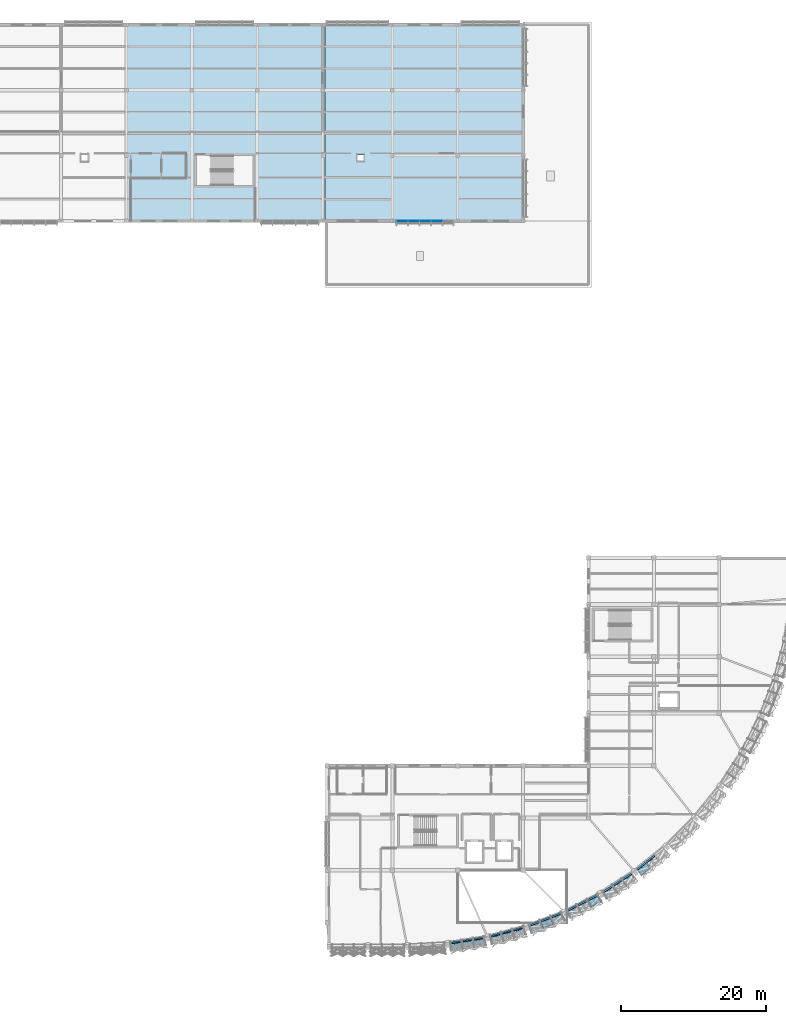
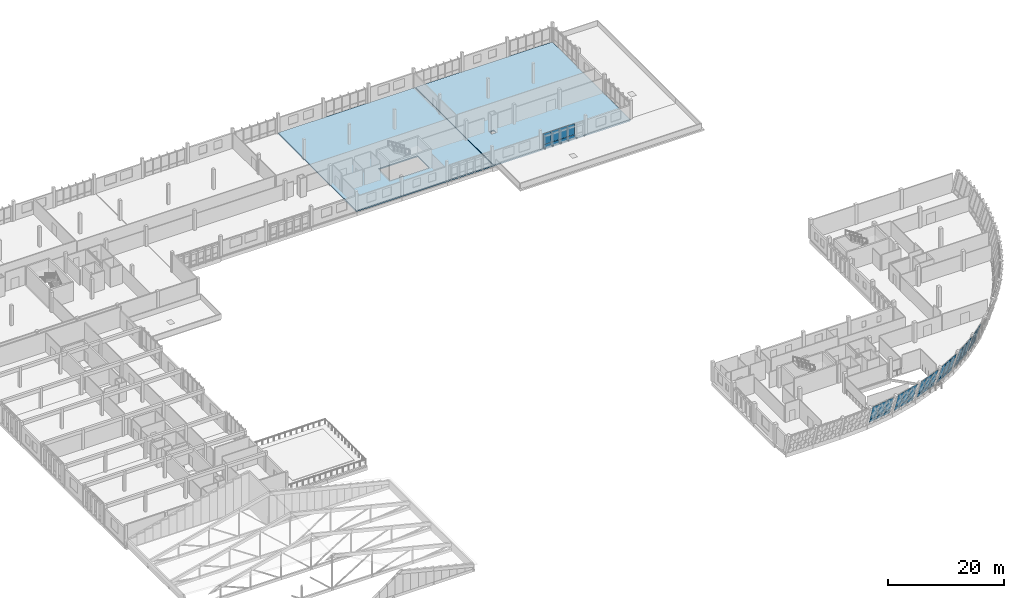
# One storey, part 82 of 107: 42 plates, 2 slabs, 7 elements without a shape of their own.
"""IFC4 building model written with IfcOpenShell, lengths in metres."""

from ifc_helpers import new_model, si_unit, direction, frame, origin, origin_2d, place, context, subcontext, project, spatial, polyline, rectangle, outline, extrude, material, layer, layer_set, type_object, element, aggregate, save


model = new_model("IFC4")

# Units and contexts
model_context = context("Model", 3, precision=1e-05, world=origin(), true_north=direction((0.0, 1.0)))
body_context = subcontext(model_context, "Body", "Model", "MODEL_VIEW")
ifc_project = project(units=[si_unit("LENGTHUNIT", "METRE"), si_unit("AREAUNIT", "SQUARE_METRE"), si_unit("VOLUMEUNIT", "CUBIC_METRE"), si_unit("PLANEANGLEUNIT", "RADIAN"), si_unit("MASSUNIT", "GRAM", prefix="KILO")], contexts=[model_context])

# Site, building, storey
site_placement = place(None, origin())
site = spatial("IfcSite", under=ifc_project, at=site_placement, CompositionType="ELEMENT")
building_placement = place(site_placement, origin())
building = spatial("IfcBuilding", under=site, at=building_placement, Name="Chiffa Square Polytechnic", CompositionType="ELEMENT")
storey_placement = place(building_placement, frame((0.0, 0.0, 13.800048828125)))
storey = spatial("IfcBuildingStorey", under=building, at=storey_placement, Name="L03", CompositionType="ELEMENT", Elevation=13.800048828125)

# Curtain wall, plates
ifc_material_1 = material(Name="Aluminium EN AW-6060 T66 and glulam shading", Category="wood")
curtain_wall_type_1 = type_object("IfcCurtainWallType", Name="CW-PROW-LEAN-300", PredefinedType="USERDEFINED", material=ifc_material_1)
curtain_wall_1_placement = place(storey_placement, origin())
curtain_wall_1 = element("IfcCurtainWall", 1, at=curtain_wall_1_placement, inside=storey, type_object=curtain_wall_type_1, Name="Outward-leaning diamond-fin prow curtain wall CW-V1-L03-051", ObjectType="CURTAIN WALL", PredefinedType="USERDEFINED")
ifc_material_2 = material(Name="Double glazing", Category="glass")
ifc_layer_1 = layer(ifc_material_2, 0.0458984375, Name="Double glazing")
ifc_layer_set_1 = layer_set([ifc_layer_1], Name="Double glazing")
plate_type_1 = type_object("IfcPlateType", Name="CWP-GLZ-128X106", PredefinedType="CURTAIN_PANEL", material=ifc_layer_set_1)
plate_1_placement = place(storey_placement, frame((150.326904296875, 11.3369140625, 0.8779296875), z_axis=(-0.524290403076, 0.806943021835, 0.271960535289), x_axis=(0.838551889819, 0.544821739465, 1.6941826e-05)))
plate_1 = element("IfcPlate", 2, at=plate_1_placement, type_object=plate_type_1, Name="Leaning prow curtain panel CW-V1-L03-051-PN01", PredefinedType="CURTAIN_PANEL", context=body_context, shape_type="SweptSolid", body=[
    extrude(outline(polyline([(0.0, 0.0), (1.4641137882648378, 5.551115123125783e-17), (1.4483795535117612, -3.1560410571082227), (-0.043225158944929995, -3.1560930937209335), (0.0, 0.0)])), origin(), (0.0, 0.0, -1.0), 0.0458984375),
])
plate_2_placement = place(storey_placement, frame((151.64990234375, 12.196533203125, 0.8779296875), z_axis=(-0.524339150689, 0.806895718933, 0.272006900321), x_axis=(0.838511309537, 0.544884192995, -1.524796e-06)))
plate_2 = element("IfcPlate", 3, at=plate_2_placement, type_object=plate_type_1, Name="Leaning prow curtain panel CW-V1-L03-051-PN02", PredefinedType="CURTAIN_PANEL", context=body_context, shape_type="SweptSolid", body=[
    extrude(outline(polyline([(0.0, 0.0), (1.4642468062427874, 2.7755575615628914e-17), (1.477920306486053, -3.156111877112503), (-0.013684409636908854, -3.156107193444452), (0.0, 0.0)])), origin(), (0.0, 0.0, -1.0), 0.0458984375),
])
plate_3_placement = place(storey_placement, frame((152.972900390625, 13.05615234375, 0.8779296875), z_axis=(-0.524279363407, 0.80692603052, 0.272032223045), x_axis=(0.838542589703, 0.544836051824, -4.3441411e-05)))
plate_3 = element("IfcPlate", 4, at=plate_3_placement, type_object=plate_type_1, Name="Leaning prow curtain panel CW-V1-L03-051-PN03", PredefinedType="CURTAIN_PANEL", context=body_context, shape_type="SweptSolid", body=[
    extrude(outline(polyline([(0.0, 0.0), (1.4640420796843538, 2.7755575615628914e-17), (1.507707778406458, -3.156201079702672), (0.016031359923051505, -3.156067647131704), (0.0, 0.0)])), origin(), (0.0, 0.0, -1.0), 0.0458984375),
])

curtain_wall_type_2 = type_object("IfcCurtainWallType", Name="CW-PROW-LEAN-150", PredefinedType="USERDEFINED", material=ifc_material_1)
curtain_wall_2_placement = place(storey_placement, origin())
curtain_wall_2 = element("IfcCurtainWall", 5, at=curtain_wall_2_placement, inside=storey, type_object=curtain_wall_type_2, Name="Outward-leaning diamond-fin prow curtain wall CW-V1-L03-050", ObjectType="CURTAIN WALL", PredefinedType="USERDEFINED")
ifc_layer_2 = layer(ifc_material_2, 0.0458984375, Name="Double glazing")
ifc_layer_set_2 = layer_set([ifc_layer_2], Name="Double glazing")
plate_type_2 = type_object("IfcPlateType", Name="CWP-GLZ-130X110", PredefinedType="CURTAIN_PANEL", material=ifc_layer_set_2)
plate_4_placement = place(storey_placement, frame((145.368408203125, 8.753662109375, 0.8779296875), z_axis=(-0.436901956946, 0.85743399699, 0.271888986211), x_axis=(0.890999227699, 0.454004819621, 5.11529e-07)))
plate_4 = element("IfcPlate", 6, at=plate_4_placement, type_object=plate_type_2, Name="Leaning prow curtain panel CW-V1-L03-050-PN01", PredefinedType="CURTAIN_PANEL", context=body_context, shape_type="SweptSolid", body=[
    extrude(outline(polyline([(0.0, 0.0), (1.464295653479668, 0.0), (1.447942610884163, -3.155999479673729), (-0.044304744706250475, -3.1560010512349024), (0.0, 0.0)])), origin(), (0.0, 0.0, -1.0), 0.0458984375),
])
plate_5_placement = place(storey_placement, frame((146.7744140625, 9.47021484375, 0.8779296875), z_axis=(-0.436897374983, 0.857425004742, 0.271924704608), x_axis=(0.89100167403, 0.454000018163, 1.9581758e-05)))
plate_5 = element("IfcPlate", 7, at=plate_5_placement, type_object=plate_type_2, Name="Leaning prow curtain panel CW-V1-L03-050-PN02", PredefinedType="CURTAIN_PANEL", context=body_context, shape_type="SweptSolid", body=[
    extrude(outline(polyline([(0.0, 0.0), (1.4639672836383886, 2.7755575615628914e-17), (1.478357981752926, -3.1560032661526876), (-0.014217743067088135, -3.1560634274277635), (0.0, 0.0)])), origin(), (0.0, 0.0, -1.0), 0.0458984375),
])
plate_6_placement = place(storey_placement, frame((148.18017578125, 10.186279296875, 0.8779296875), z_axis=(-0.436870966656, 0.857452637538, 0.271879997189), x_axis=(0.891014988493, 0.453973887129, -9.296618e-06)))
plate_6 = element("IfcPlate", 8, at=plate_6_placement, type_object=plate_type_2, Name="Leaning prow curtain panel CW-V1-L03-050-PN03", PredefinedType="CURTAIN_PANEL", context=body_context, shape_type="SweptSolid", body=[
    extrude(outline(polyline([(0.0, 0.0), (1.4642956526262192, 0.0), (1.508759109165546, -3.1560064960181355), (0.016294221689363026, -3.155977932178092), (0.0, 0.0)])), origin(), (0.0, 0.0, -1.0), 0.0458984375),
])

curtain_wall_3_placement = place(storey_placement, origin())
curtain_wall_3 = element("IfcCurtainWall", 9, at=curtain_wall_3_placement, inside=storey, type_object=curtain_wall_type_1, Name="Outward-leaning diamond-fin prow curtain wall CW-V1-L03-049", ObjectType="CURTAIN WALL", PredefinedType="USERDEFINED")
ifc_layer_3 = layer(ifc_material_2, 0.0439453125, Name="Double glazing")
ifc_layer_set_3 = layer_set([ifc_layer_3], Name="Double glazing")
plate_type_3 = type_object("IfcPlateType", Name="CWP-GLZ-132X114", PredefinedType="CURTAIN_PANEL", material=ifc_layer_set_3)
plate_7_placement = place(storey_placement, frame((140.166748046875, 6.702880859375, 0.8779296875), z_axis=(-0.344741512384, 0.898441351012, 0.271949312244), x_axis=(0.933624880121, 0.3582521208, -3.4073417e-05)))
plate_7 = element("IfcPlate", 10, at=plate_7_placement, type_object=plate_type_3, Name="Leaning prow curtain panel CW-V1-L03-049-PN01", PredefinedType="CURTAIN_PANEL", context=body_context, shape_type="SweptSolid", body=[
    extrude(outline(polyline([(0.0, 0.0), (1.4647155794137643, -2.7755575615628914e-17), (1.4482080952115914, -3.156107433737829), (-0.04407976691800431, -3.1560027325013795), (0.0, 0.0)])), origin(), (0.0, 0.0, -1.0), 0.0439453125),
])
plate_8_placement = place(storey_placement, frame((141.64013671875, 7.268310546875, 0.8779296875), z_axis=(-0.344836999302, 0.89840367537, 0.271952716468), x_axis=(0.9335894887, 0.358344340755, -6.158861e-06)))
plate_8 = element("IfcPlate", 11, at=plate_8_placement, type_object=plate_type_3, Name="Leaning prow curtain panel CW-V1-L03-049-PN02", PredefinedType="CURTAIN_PANEL", context=body_context, shape_type="SweptSolid", body=[
    extrude(outline(polyline([(0.0, 0.0), (1.4647155905350016, -2.7755575615628914e-17), (1.4778132541303783, -3.156068767126044), (-0.014334140590094142, -3.1560498429791086), (0.0, 0.0)])), origin(), (0.0, 0.0, -1.0), 0.0439453125),
])
plate_9_placement = place(storey_placement, frame((143.113525390625, 7.833984375, 0.8779296875), z_axis=(-0.344836045715, 0.89840119099, 0.271962132666), x_axis=(0.933592030214, 0.358337718867, 1.8938676e-05)))
plate_9 = element("IfcPlate", 12, at=plate_9_placement, type_object=plate_type_3, Name="Leaning prow curtain panel CW-V1-L03-049-PN03", PredefinedType="CURTAIN_PANEL", context=body_context, shape_type="SweptSolid", body=[
    extrude(outline(polyline([(0.0, 0.0), (1.4644001775004525, 0.0), (1.507956586900696, -3.156038359816958), (0.015493779657743735, -3.156096552280931), (0.0, 0.0)])), origin(), (0.0, 0.0, -1.0), 0.0439453125),
])

curtain_wall_4_placement = place(storey_placement, origin())
curtain_wall_4 = element("IfcCurtainWall", 13, at=curtain_wall_4_placement, inside=storey, type_object=curtain_wall_type_2, Name="Outward-leaning diamond-fin prow curtain wall CW-V1-L03-048", ObjectType="CURTAIN WALL", PredefinedType="USERDEFINED")
ifc_layer_4 = layer(ifc_material_2, 0.0439453125, Name="Double glazing")
ifc_layer_set_4 = layer_set([ifc_layer_4], Name="Double glazing")
plate_type_4 = type_object("IfcPlateType", Name="CWP-GLZ-134X118", PredefinedType="CURTAIN_PANEL", material=ifc_layer_set_4)
plate_10_placement = place(storey_placement, frame((134.7802734375, 5.206787109375, 0.8779296875), z_axis=(-0.249056083962, 0.929549781143, 0.27186075741), x_axis=(0.965930390096, 0.258802012083, 5.468409e-06)))
plate_10 = element("IfcPlate", 14, at=plate_10_placement, type_object=plate_type_4, Name="Leaning prow curtain panel CW-V1-L03-048-PN01", PredefinedType="CURTAIN_PANEL", context=body_context, shape_type="SweptSolid", body=[
    extrude(outline(polyline([(0.0, 0.0), (1.4641834649857353, -2.7755575615628914e-17), (1.4476504598648547, -3.1559658687181527), (-0.044604863925371954, -3.15598266847129), (0.0, 0.0)])), origin(), (0.0, 0.0, -1.0), 0.0439453125),
])
plate_11_placement = place(storey_placement, frame((136.304443359375, 5.615234375, 0.8779296875), z_axis=(-0.249128285896, 0.929522666707, 0.271887309827), x_axis=(0.965908188201, 0.258884861892, -1.5800429e-05)))
plate_11 = element("IfcPlate", 15, at=plate_11_placement, type_object=plate_type_4, Name="Leaning prow curtain panel CW-V1-L03-048-PN02", PredefinedType="CURTAIN_PANEL", context=body_context, shape_type="SweptSolid", body=[
    extrude(outline(polyline([(0.0, 0.0), (1.4642466613198177, 2.7755575615628914e-17), (1.477597078763567, -3.15602295704929), (-0.014658242196183821, -3.155974414405404), (0.0, 0.0)])), origin(), (0.0, 0.0, -1.0), 0.0439453125),
])
plate_12_placement = place(storey_placement, frame((137.82861328125, 6.023681640625, 0.8779296875), z_axis=(-0.249128821993, 0.929524666939, 0.271879980147), x_axis=(0.965908188263, 0.258884861659, -1.5800037e-05)))
plate_12 = element("IfcPlate", 16, at=plate_12_placement, type_object=plate_type_4, Name="Leaning prow curtain panel CW-V1-L03-048-PN03", PredefinedType="CURTAIN_PANEL", context=body_context, shape_type="SweptSolid", body=[
    extrude(outline(polyline([(0.0, 0.0), (1.464246661319807, 0.0), (1.5076818921664836, -3.1560166589895915), (0.015426571206700756, -3.1559681176543433), (0.0, 0.0)])), origin(), (0.0, 0.0, -1.0), 0.0439453125),
])

curtain_wall_5_placement = place(storey_placement, origin())
curtain_wall_5 = element("IfcCurtainWall", 17, at=curtain_wall_5_placement, inside=storey, type_object=curtain_wall_type_1, Name="Outward-leaning diamond-fin prow curtain wall CW-V1-L03-047", ObjectType="CURTAIN WALL", PredefinedType="USERDEFINED")
ifc_layer_5 = layer(ifc_material_2, 0.0419921875, Name="Double glazing")
ifc_layer_set_5 = layer_set([ifc_layer_5], Name="Double glazing")
plate_type_5 = type_object("IfcPlateType", Name="CWP-GLZ-136X122", PredefinedType="CURTAIN_PANEL", material=ifc_layer_set_5)
plate_13_placement = place(storey_placement, frame((129.26708984375, 4.28173828125, 0.8779296875), z_axis=(-0.150716992433, 0.950407363676, 0.272048214958), x_axis=(0.987658484057, 0.156622855431, 5.15036e-06)))
plate_13 = element("IfcPlate", 18, at=plate_13_placement, type_object=plate_type_5, Name="Leaning prow curtain panel CW-V1-L03-047-PN01", PredefinedType="CURTAIN_PANEL", context=body_context, shape_type="SweptSolid", body=[
    extrude(outline(polyline([(0.0, 0.0), (1.463862891561594, -6.938893903907228e-18), (1.4473630742875632, -3.156140094120353), (-0.04419438798012527, -3.156155912201182), (0.0, 0.0)])), origin(), (0.0, 0.0, -1.0), 0.0419921875),
])
plate_14_placement = place(storey_placement, frame((130.8251953125, 4.52880859375, 0.8779296875), z_axis=(-0.15077453837, 0.950428007287, 0.27194418829), x_axis=(0.987650705835, 0.156671894604, 2.6559331e-05)))
plate_14 = element("IfcPlate", 19, at=plate_14_placement, type_object=plate_type_5, Name="Leaning prow curtain panel CW-V1-L03-047-PN02", PredefinedType="CURTAIN_PANEL", context=body_context, shape_type="SweptSolid", body=[
    extrude(outline(polyline([(0.0, 0.0), (1.4641040135967105, -1.3877787807814457e-17), (1.477364915303207, -3.156010631493679), (-0.014471921792274165, -3.156092213900079), (0.0, 0.0)])), origin(), (0.0, 0.0, -1.0), 0.0419921875),
])
plate_15_placement = place(storey_placement, frame((132.38330078125, 4.77587890625, 0.8779296875), z_axis=(-0.150710530092, 0.950446101429, 0.271916429068), x_axis=(0.98766066259, 0.156609116906, 8.596016e-06)))
plate_15 = element("IfcPlate", 20, at=plate_15_placement, type_object=plate_type_5, Name="Leaning prow curtain panel CW-V1-L03-047-PN03", PredefinedType="CURTAIN_PANEL", context=body_context, shape_type="SweptSolid", body=[
    extrude(outline(polyline([(0.0, 0.0), (1.464104019847716, 0.0), (1.507026738482611, -3.1560122173382075), (0.015469276825369959, -3.1560386190449408), (0.0, 0.0)])), origin(), (0.0, 0.0, -1.0), 0.0419921875),
])

curtain_wall_type_3 = type_object("IfcCurtainWallType", Name="CW-VERT-600X380", PredefinedType="USERDEFINED", material=ifc_material_1)
curtain_wall_6_placement = place(storey_placement, origin())
curtain_wall_6 = element("IfcCurtainWall", 21, at=curtain_wall_6_placement, inside=storey, type_object=curtain_wall_type_3, Name="Curtain wall CW-V5-L03-228", ObjectType="CURTAIN WALL", PredefinedType="USERDEFINED")
ifc_layer_6 = layer(ifc_material_2, 0.0419921875, Name="Double glazing")
ifc_layer_set_6 = layer_set([ifc_layer_6], Name="Double glazing")
plate_type_6 = type_object("IfcPlateType", Name="CWP-GLZ-138X126", PredefinedType="CURTAIN_PANEL", material=ifc_layer_set_6)
plate_16_placement = place(storey_placement, frame((122.54296875, 103.800048828125, 0.84033203125), z_axis=(0.0, 0.0, 1.0), x_axis=(1.0, 0.0, 0.0)))
plate_16 = element("IfcPlate", 22, at=plate_16_placement, type_object=plate_type_6, Name="Glazed curtain panel CW-V5-L03-228-PN01", PredefinedType="CURTAIN_PANEL", context=body_context, shape_type="SweptSolid", body=[
    extrude(rectangle(XDim=1.510009765625, YDim=0.0419921875, at=origin_2d()), origin(), (0.0, 0.0, 1.0), 2.304931640625),
])
plate_17_placement = place(storey_placement, frame((124.115966796875, 103.800048828125, 0.84033203125), z_axis=(0.0, 0.0, 1.0), x_axis=(1.0, 0.0, 0.0)))
plate_17 = element("IfcPlate", 23, at=plate_17_placement, type_object=plate_type_6, Name="Glazed curtain panel CW-V5-L03-228-PN02", PredefinedType="CURTAIN_PANEL", context=body_context, shape_type="SweptSolid", body=[
    extrude(rectangle(XDim=1.531982421875, YDim=0.0419921875, at=origin_2d()), origin(), (0.0, 0.0, 1.0), 2.304931640625),
])
plate_18_placement = place(storey_placement, frame((125.699951171875, 103.800048828125, 0.84033203125), z_axis=(0.0, 0.0, 1.0), x_axis=(1.0, 0.0, 0.0)))
plate_18 = element("IfcPlate", 24, at=plate_18_placement, type_object=plate_type_6, Name="Glazed curtain panel CW-V5-L03-228-PN03", PredefinedType="CURTAIN_PANEL", context=body_context, shape_type="SweptSolid", body=[
    extrude(rectangle(XDim=1.531982421875, YDim=0.0419921875, at=origin_2d()), origin(), (0.0, 0.0, 1.0), 2.304931640625),
])
plate_19_placement = place(storey_placement, frame((127.283935546875, 103.800048828125, 0.84033203125), z_axis=(0.0, 0.0, 1.0), x_axis=(1.0, 0.0, 0.0)))
plate_19 = element("IfcPlate", 25, at=plate_19_placement, type_object=plate_type_6, Name="Glazed curtain panel CW-V5-L03-228-PN04", PredefinedType="CURTAIN_PANEL", context=body_context, shape_type="SweptSolid", body=[
    extrude(rectangle(XDim=1.531982421875, YDim=0.0419921875, at=origin_2d()), origin(), (0.0, 0.0, 1.0), 2.304931640625),
])

curtain_wall_7_placement = place(storey_placement, origin())
curtain_wall_7 = element("IfcCurtainWall", 26, at=curtain_wall_7_placement, inside=storey, type_object=curtain_wall_type_2, Name="Outward-leaning diamond-fin prow curtain wall CW-V1-L03-052", ObjectType="CURTAIN WALL", PredefinedType="USERDEFINED")
ifc_layer_7 = layer(ifc_material_2, 0.035888671875, Name="Double glazing")
ifc_layer_set_7 = layer_set([ifc_layer_7], Name="Double glazing")
plate_type_7 = type_object("IfcPlateType", Name="CWP-GLZ-150X145", PredefinedType="CURTAIN_PANEL", material=ifc_layer_set_7)
plate_20_placement = place(storey_placement, frame((154.9873046875, 14.425537109375, 0.8779296875), z_axis=(-0.605428587024, 0.747985206675, 0.271982272603), x_axis=(0.777290077008, 0.629142381277, 1.6320709e-05)))
plate_20 = element("IfcPlate", 27, at=plate_20_placement, type_object=plate_type_7, Name="Leaning prow curtain panel CW-V1-L03-052-PN01", PredefinedType="CURTAIN_PANEL", context=body_context, shape_type="SweptSolid", body=[
    extrude(outline(polyline([(0.0, 0.0), (1.464228648332112, 2.7755575615628914e-17), (1.4486261954100184, -3.156062136461245), (-0.04370455514057814, -3.1561122799010866), (0.0, 0.0)])), origin(), (0.0, 0.0, -1.0), 0.035888671875),
])
plate_21_placement = place(storey_placement, frame((156.213623046875, 15.418212890625, 0.8779296875), z_axis=(-0.605474388865, 0.747962324189, 0.271943240441), x_axis=(0.777259804876, 0.629179779419, 2.9915065e-05)))
plate_21 = element("IfcPlate", 28, at=plate_21_placement, type_object=plate_type_7, Name="Leaning prow curtain panel CW-V1-L03-052-PN02", PredefinedType="CURTAIN_PANEL", context=body_context, shape_type="SweptSolid", body=[
    extrude(outline(polyline([(0.0, 0.0), (1.4642286421089379, 0.0), (1.4786348963775586, -3.156004562075252), (-0.013506096006438702, -3.1560964656074795), (0.0, 0.0)])), origin(), (0.0, 0.0, -1.0), 0.035888671875),
])
ifc_material_3 = material(Name="Aluminium insulated spandrel", Category="aluminium")
ifc_layer_8 = layer(ifc_material_3, 0.070068359375, Name="Aluminium insulated spandrel")
ifc_layer_set_8 = layer_set([ifc_layer_8], Name="Aluminium insulated spandrel")
plate_type_8 = type_object("IfcPlateType", Name="CWP-SPN-138X074", PredefinedType="SHEET", material=ifc_layer_set_8)
plate_22_placement = place(storey_placement, frame((154.84912109375, 14.614990234375, 0.050048828125), z_axis=(-0.605346942181, 0.748074942636, 0.271917192895), x_axis=(0.777366167573, 0.629048361814, 3.366154e-06)))
plate_22 = element("IfcPlate", 29, at=plate_22_placement, type_object=plate_type_8, Name="Leaning prow curtain panel CW-V1-L03-052-SP01", PredefinedType="SHEET", context=body_context, shape_type="SweptSolid", body=[
    extrude(outline(polyline([(0.0, 0.0), (1.4566022429427443, 2.7755575615628914e-17), (1.452526455515406, -0.8021939090636496), (-0.011015466675206162, -0.802204123595786), (0.0, 0.0)])), origin(), (0.0, 0.0, -1.0), 0.070068359375),
])
plate_23_placement = place(storey_placement, frame((156.0693359375, 15.602294921875, 0.050048828125), z_axis=(-0.605393078325, 0.748051495108, 0.271878982974), x_axis=(0.777330623532, 0.629092283858, -1.0462169e-05)))
plate_23 = element("IfcPlate", 30, at=plate_23_placement, type_object=plate_type_8, Name="Leaning prow curtain panel CW-V1-L03-052-SP02", PredefinedType="SHEET", context=body_context, shape_type="SweptSolid", body=[
    extrude(outline(polyline([(0.0, 0.0), (1.4564124615814493, -2.7755575615628914e-17), (1.4601298644344527, -0.8022058645756144), (-0.003412056485542254, -0.8021741197368094), (0.0, 0.0)])), origin(), (0.0, 0.0, -1.0), 0.070068359375),
])
aggregate(curtain_wall_7, [plate_22, plate_20, plate_23, plate_21])

# Plate
plate_24_placement = place(storey_placement, frame((122.54296875, 103.800048828125, 0.050048828125), z_axis=(0.0, 0.0, 1.0), x_axis=(1.0, 0.0, 0.0)))
plate_24 = element("IfcPlate", 31, at=plate_24_placement, type_object=plate_type_8, Name="Spandrel panel CW-V5-L03-228-SP01", PredefinedType="SHEET", context=body_context, shape_type="SweptSolid", body=[
    extrude(rectangle(XDim=1.510009765625, YDim=0.070068359375, at=origin_2d()), origin(), (0.0, 0.0, 1.0), 0.75),
])

plate_25_placement = place(storey_placement, frame((124.115966796875, 103.800048828125, 0.050048828125), z_axis=(0.0, 0.0, 1.0), x_axis=(1.0, 0.0, 0.0)))
plate_25 = element("IfcPlate", 32, at=plate_25_placement, type_object=plate_type_8, Name="Spandrel panel CW-V5-L03-228-SP02", PredefinedType="SHEET", context=body_context, shape_type="SweptSolid", body=[
    extrude(rectangle(XDim=1.531982421875, YDim=0.070068359375, at=origin_2d()), origin(), (0.0, 0.0, 1.0), 0.75),
])

plate_26_placement = place(storey_placement, frame((125.699951171875, 103.800048828125, 0.050048828125), z_axis=(0.0, 0.0, 1.0), x_axis=(1.0, 0.0, 0.0)))
plate_26 = element("IfcPlate", 33, at=plate_26_placement, type_object=plate_type_8, Name="Spandrel panel CW-V5-L03-228-SP03", PredefinedType="SHEET", context=body_context, shape_type="SweptSolid", body=[
    extrude(rectangle(XDim=1.531982421875, YDim=0.070068359375, at=origin_2d()), origin(), (0.0, 0.0, 1.0), 0.75),
])

plate_27_placement = place(storey_placement, frame((127.283935546875, 103.800048828125, 0.050048828125), z_axis=(0.0, 0.0, 1.0), x_axis=(1.0, 0.0, 0.0)))
plate_27 = element("IfcPlate", 34, at=plate_27_placement, type_object=plate_type_8, Name="Spandrel panel CW-V5-L03-228-SP04", PredefinedType="SHEET", context=body_context, shape_type="SweptSolid", body=[
    extrude(rectangle(XDim=1.531982421875, YDim=0.070068359375, at=origin_2d()), origin(), (0.0, 0.0, 1.0), 0.75),
])

aggregate(curtain_wall_6, [plate_24, plate_16, plate_25, plate_17, plate_26, plate_18, plate_27, plate_19])

ifc_layer_9 = layer(ifc_material_3, 0.068115234375, Name="Aluminium insulated spandrel")
ifc_layer_set_9 = layer_set([ifc_layer_9], Name="Aluminium insulated spandrel")
plate_type_9 = type_object("IfcPlateType", Name="CWP-SPN-140X076", PredefinedType="SHEET", material=ifc_layer_set_9)
plate_28_placement = place(storey_placement, frame((150.20947265625, 11.53955078125, 0.050048828125), z_axis=(-0.524367701351, 0.806905192474, 0.271923746919), x_axis=(0.838502054314, 0.544898435359, 7.420963e-06)))
plate_28 = element("IfcPlate", 35, at=plate_28_placement, type_object=plate_type_9, Name="Leaning prow curtain panel CW-V1-L03-051-SP01", PredefinedType="SHEET", context=body_context, shape_type="SweptSolid", body=[
    extrude(outline(polyline([(0.0, 0.0), (1.4566627419637195, 2.7755575615628914e-17), (1.4526593051407248, -0.8021893315188431), (-0.011045044310610087, -0.802211852055531), (0.0, 0.0)])), origin(), (0.0, 0.0, -1.0), 0.068115234375),
])

plate_29_placement = place(storey_placement, frame((151.525390625, 12.394775390625, 0.050048828125), z_axis=(-0.524321651836, 0.806877680876, 0.272094126213), x_axis=(0.838514441236, 0.544879373658, 9.97974e-07)))
plate_29 = element("IfcPlate", 36, at=plate_29_placement, type_object=plate_type_9, Name="Leaning prow curtain panel CW-V1-L03-051-SP02", PredefinedType="SHEET", context=body_context, shape_type="SweptSolid", body=[
    extrude(outline(polyline([(0.0, 0.0), (1.456662742496366, 0.0), (1.460110341743319, -0.8022391687199051), (-0.003256263729925697, -0.8022421970914891), (0.0, 0.0)])), origin(), (0.0, 0.0, -1.0), 0.068115234375),
])

plate_30_placement = place(storey_placement, frame((152.841552734375, 13.25, 0.050048828125), z_axis=(-0.524325466808, 0.806883551729, 0.272069363962), x_axis=(0.838514441208, 0.544879373701, 9.9789e-07)))
plate_30 = element("IfcPlate", 37, at=plate_30_placement, type_object=plate_type_9, Name="Leaning prow curtain panel CW-V1-L03-051-SP03", PredefinedType="SHEET", context=body_context, shape_type="SweptSolid", body=[
    extrude(outline(polyline([(0.0, 0.0), (1.456662742496366, 0.0), (1.4676944053454142, -0.8022333239215402), (0.00432779987216914, -0.8022363520175237), (0.0, 0.0)])), origin(), (0.0, 0.0, -1.0), 0.068115234375),
])

aggregate(curtain_wall_1, [plate_28, plate_1, plate_29, plate_2, plate_30, plate_3])

ifc_layer_10 = layer(ifc_material_3, 0.06591796875, Name="Aluminium insulated spandrel")
ifc_layer_set_10 = layer_set([ifc_layer_10], Name="Aluminium insulated spandrel")
plate_type_10 = type_object("IfcPlateType", Name="CWP-SPN-144X078", PredefinedType="SHEET", material=ifc_layer_set_10)
plate_31_placement = place(storey_placement, frame((145.273193359375, 8.9677734375, 0.050048828125), z_axis=(-0.436816954988, 0.857461464231, 0.271938936517), x_axis=(0.891038880967, 0.45392699015, -1.4749149e-05)))
plate_31 = element("IfcPlate", 38, at=plate_31_placement, type_object=plate_type_10, Name="Leaning prow curtain panel CW-V1-L03-050-SP01", PredefinedType="SHEET", context=body_context, shape_type="SweptSolid", body=[
    extrude(outline(polyline([(0.0, 0.0), (1.4563246927901592, -2.7755575615628914e-17), (1.4522700701264744, -0.8022263705145065), (-0.011368856222784395, -0.8021816169781094), (0.0, 0.0)])), origin(), (0.0, 0.0, -1.0), 0.06591796875),
])

plate_32_placement = place(storey_placement, frame((146.67138671875, 9.680419921875, 0.050048828125), z_axis=(-0.436767701387, 0.857445231421, 0.272069201009), x_axis=(0.891057386701, 0.453890662585, -4.769473e-06)))
plate_32 = element("IfcPlate", 39, at=plate_32_placement, type_object=plate_type_10, Name="Leaning prow curtain panel CW-V1-L03-050-SP02", PredefinedType="SHEET", context=body_context, shape_type="SweptSolid", body=[
    extrude(outline(polyline([(0.0, 0.0), (1.4565422319300874, -2.7755575615628914e-17), (1.4601468072505088, -0.802242044664952), (-0.003492121619970796, -0.802227570958634), (0.0, 0.0)])), origin(), (0.0, 0.0, -1.0), 0.06591796875),
])

plate_33_placement = place(storey_placement, frame((148.070068359375, 10.392822265625, 0.050048828125), z_axis=(-0.436959736517, 0.857425872227, 0.271821747288), x_axis=(0.890971229703, 0.45405976217, -1.4840041e-05)))
plate_33 = element("IfcPlate", 40, at=plate_33_placement, type_object=plate_type_10, Name="Leaning prow curtain panel CW-V1-L03-050-SP03", PredefinedType="SHEET", context=body_context, shape_type="SweptSolid", body=[
    extrude(outline(polyline([(0.0, 0.0), (1.4564355423799427, -2.7755575615628914e-17), (1.4677443558041907, -0.8021991465031153), (0.003994604412973036, -0.8021541153011801), (0.0, 0.0)])), origin(), (0.0, 0.0, -1.0), 0.06591796875),
])

aggregate(curtain_wall_2, [plate_31, plate_4, plate_32, plate_5, plate_33, plate_6])

ifc_layer_11 = layer(ifc_material_3, 0.06396484375, Name="Aluminium insulated spandrel")
ifc_layer_set_11 = layer_set([ifc_layer_11], Name="Aluminium insulated spandrel")
plate_type_11 = type_object("IfcPlateType", Name="CWP-SPN-146X082", PredefinedType="SHEET", material=ifc_layer_set_11)
plate_34_placement = place(storey_placement, frame((140.093994140625, 6.92578125, 0.050048828125), z_axis=(-0.344774853027, 0.89840911667, 0.272013528717), x_axis=(0.93361376584, 0.358281085272, 1.307127e-05)))
plate_34 = element("IfcPlate", 41, at=plate_34_placement, type_object=plate_type_11, Name="Leaning prow curtain panel CW-V1-L03-049-SP01", PredefinedType="SHEET", context=body_context, shape_type="SweptSolid", body=[
    extrude(outline(polyline([(0.0, 0.0), (1.4570558748951572, 0.0), (1.4531099320993341, -0.8022019484297573), (-0.01106231574886624, -0.802241628802306), (0.0, 0.0)])), origin(), (0.0, 0.0, -1.0), 0.06396484375),
])

plate_35_placement = place(storey_placement, frame((141.559814453125, 7.48828125, 0.050048828125), z_axis=(-0.344803430088, 0.898403152342, 0.271997004509), x_axis=(0.933603829926, 0.358306974968, 2.090863e-05)))
plate_35 = element("IfcPlate", 42, at=plate_35_placement, type_object=plate_type_11, Name="Leaning prow curtain panel CW-V1-L03-049-SP02", PredefinedType="SHEET", context=body_context, shape_type="SweptSolid", body=[
    extrude(outline(polyline([(0.0, 0.0), (1.457055872272487, 0.0), (1.4604542380451615, -0.8021860605228712), (-0.0034900805902938342, -0.8022495274594873), (0.0, 0.0)])), origin(), (0.0, 0.0, -1.0), 0.06396484375),
])

plate_36_placement = place(storey_placement, frame((143.025634765625, 8.05078125, 0.050048828125), z_axis=(-0.344743245798, 0.898455915903, 0.271898991642), x_axis=(0.933629719182, 0.358239511305, 4.83714e-07)))
plate_36 = element("IfcPlate", 43, at=plate_36_placement, type_object=plate_type_11, Name="Leaning prow curtain panel CW-V1-L03-049-SP03", PredefinedType="SHEET", context=body_context, shape_type="SweptSolid", body=[
    extrude(outline(polyline([(0.0, 0.0), (1.4570558765751411, 0.0), (1.4680264741339364, -0.8021939649366602), (0.004169628854747315, -0.8021954331373555), (0.0, 0.0)])), origin(), (0.0, 0.0, -1.0), 0.06396484375),
])

aggregate(curtain_wall_3, [plate_34, plate_7, plate_35, plate_8, plate_36, plate_9])

ifc_layer_12 = layer(ifc_material_3, 0.06201171875, Name="Aluminium insulated spandrel")
ifc_layer_set_12 = layer_set([ifc_layer_12], Name="Aluminium insulated spandrel")
plate_type_12 = type_object("IfcPlateType", Name="CWP-SPN-148X084", PredefinedType="SHEET", material=ifc_layer_set_12)
plate_37_placement = place(storey_placement, frame((134.7314453125, 5.435791015625, 0.050048828125), z_axis=(-0.249228315262, 0.929497725802, 0.271880901499), x_axis=(0.965882372342, 0.25898116281, 1.0425675e-05)))
plate_37 = element("IfcPlate", 44, at=plate_37_placement, type_object=plate_type_12, Name="Leaning prow curtain panel CW-V1-L03-048-SP01", PredefinedType="SHEET", context=body_context, shape_type="SweptSolid", body=[
    extrude(outline(polyline([(0.0, 0.0), (1.456666505944342, -2.7755575615628914e-17), (1.452555423884017, -0.8021747056677649), (-0.011219616173619502, -0.8022063450695132), (0.0, 0.0)])), origin(), (0.0, 0.0, -1.0), 0.06201171875),
])

plate_38_placement = place(storey_placement, frame((136.247802734375, 5.84228515625, 0.050048828125), z_axis=(-0.249165215352, 0.929481993209, 0.271992499454), x_axis=(0.965895713589, 0.258931400571, -1.6400536e-05)))
plate_38 = element("IfcPlate", 45, at=plate_38_placement, type_object=plate_type_12, Name="Leaning prow curtain panel CW-V1-L03-048-SP02", PredefinedType="SHEET", context=body_context, shape_type="SweptSolid", body=[
    extrude(outline(polyline([(0.0, 0.0), (1.4564306922805896, 0.0), (1.459827075787468, -0.8022416113260475), (-0.00388474332370625, -0.8021918431322618), (0.0, 0.0)])), origin(), (0.0, 0.0, -1.0), 0.06201171875),
])

plate_39_placement = place(storey_placement, frame((137.763916015625, 6.248779296875, 0.050048828125), z_axis=(-0.249141601172, 0.929474349351, 0.272040247874), x_axis=(0.965901734808, 0.258908938782, -1.0706616e-05)))
plate_39 = element("IfcPlate", 46, at=plate_39_placement, type_object=plate_type_12, Name="Leaning prow curtain panel CW-V1-L03-048-SP03", PredefinedType="SHEET", context=body_context, shape_type="SweptSolid", body=[
    extrude(outline(polyline([(0.0, 0.0), (1.4566665058871677, 0.0), (1.4676525183165956, -0.8022443128898253), (0.003940697208216105, -0.802211820083149), (0.0, 0.0)])), origin(), (0.0, 0.0, -1.0), 0.06201171875),
])

aggregate(curtain_wall_4, [plate_37, plate_10, plate_38, plate_11, plate_39, plate_12])

ifc_layer_13 = layer(ifc_material_3, 0.06005859375, Name="Aluminium insulated spandrel")
ifc_layer_set_13 = layer_set([ifc_layer_13], Name="Aluminium insulated spandrel")
plate_type_13 = type_object("IfcPlateType", Name="CWP-SPN-150X080", PredefinedType="SHEET", material=ifc_layer_set_13)
plate_40_placement = place(storey_placement, frame((129.2421875, 4.514892578125, 0.050048828125), z_axis=(-0.15068420957, 0.950364424798, 0.272216327695), x_axis=(0.987663121695, 0.15659360715, 1.5588438e-05)))
plate_40 = element("IfcPlate", 47, at=plate_40_placement, type_object=plate_type_13, Name="Leaning prow curtain panel CW-V1-L03-047-SP01", PredefinedType="SHEET", context=body_context, shape_type="SweptSolid", body=[
    extrude(outline(polyline([(0.0, 0.0), (1.4566790051826288, 6.938893903907228e-18), (1.4522361964793562, -0.8022459721015268), (-0.011144437688018935, -0.802293277714581), (0.0, 0.0)])), origin(), (0.0, 0.0, -1.0), 0.06005859375),
])

plate_41_placement = place(storey_placement, frame((130.79248046875, 4.760498046875, 0.050048828125), z_axis=(-0.150697577564, 0.950448736659, 0.271914396639), x_axis=(0.98766281643, 0.156595533036, 8.706217e-06)))
plate_41 = element("IfcPlate", 48, at=plate_41_placement, type_object=plate_type_13, Name="Leaning prow curtain panel CW-V1-L03-047-SP02", PredefinedType="SHEET", context=body_context, shape_type="SweptSolid", body=[
    extrude(outline(polyline([(0.0, 0.0), (1.4564378765278323, 6.938893903907228e-18), (1.459934833001874, -0.8021851231405749), (-0.003686930083974644, -0.8022115412087149), (0.0, 0.0)])), origin(), (0.0, 0.0, -1.0), 0.06005859375),
])

plate_42_placement = place(storey_placement, frame((132.342529296875, 5.00634765625, 0.050048828125), z_axis=(-0.150614011076, 0.950429120106, 0.27202923983), x_axis=(0.9876747882, 0.156520006987, -1.2906814e-05)))
plate_42 = element("IfcPlate", 49, at=plate_42_placement, type_object=plate_type_13, Name="Leaning prow curtain panel CW-V1-L03-047-SP03", PredefinedType="SHEET", context=body_context, shape_type="SweptSolid", body=[
    extrude(outline(polyline([(0.0, 0.0), (1.4564378756350391, 6.938893903907228e-18), (1.4675627531621978, -0.8022450730164022), (0.003979211295285672, -0.802205907887291), (0.0, 0.0)])), origin(), (0.0, 0.0, -1.0), 0.06005859375),
])

aggregate(curtain_wall_5, [plate_40, plate_13, plate_41, plate_14, plate_42, plate_15])

# Slabs
ifc_material_4 = material(Name="Concrete C35/45", Category="concrete")
ifc_layer_14 = layer(ifc_material_4, 0.260009765625, Name="Concrete C35/45")
ifc_layer_set_14 = layer_set([ifc_layer_14], Name="Concrete C35/45")
slab_type = type_object("IfcSlabType", Name="SLB-FLR-260", PredefinedType="FLOOR", material=ifc_layer_set_14)
slab_1_placement = place(storey_placement, frame((0.0, 0.0, -0.260009765625)))
element("IfcSlab", 50, at=slab_1_placement, inside=storey, type_object=slab_type, Name="V5 L03 structural slab SLB-V5-L03-041", PredefinedType="FLOOR", context=body_context, shape_type="SweptSolid", body=[
    extrude(outline(polyline([(84.60009765625, 103.800048828125), (84.60009765625, 130.800048828125), (111.85009765625, 130.800048828125), (111.85009765625, 103.800048828125), (84.60009765625, 103.800048828125)]), holes=[polyline([(94.199951171875, 112.800048828125), (102.0, 112.800048828125), (102.0, 108.699951171875), (94.199951171875, 108.699951171875), (94.199951171875, 112.800048828125)])]), origin(), (0.0, 0.0, 1.0), 0.260009765625),
])
slab_2_placement = place(storey_placement, frame((0.0, 0.0, -0.260009765625)))
element("IfcSlab", 51, at=slab_2_placement, inside=storey, type_object=slab_type, Name="V5 L03 structural slab SLB-V5-L03-042", PredefinedType="FLOOR", context=body_context, shape_type="SweptSolid", body=[
    extrude(outline(polyline([(139.199951171875, 130.800048828125), (139.199951171875, 103.800048828125), (111.949951171875, 103.800048828125), (111.949951171875, 130.800048828125), (139.199951171875, 130.800048828125)]), holes=[polyline([(116.35009765625, 112.89990234375), (117.25, 112.89990234375), (117.25, 112.050048828125), (116.35009765625, 112.050048828125), (116.35009765625, 112.89990234375)])]), origin(), (0.0, 0.0, 1.0), 0.260009765625),
])

save(model, "model.ifc")
